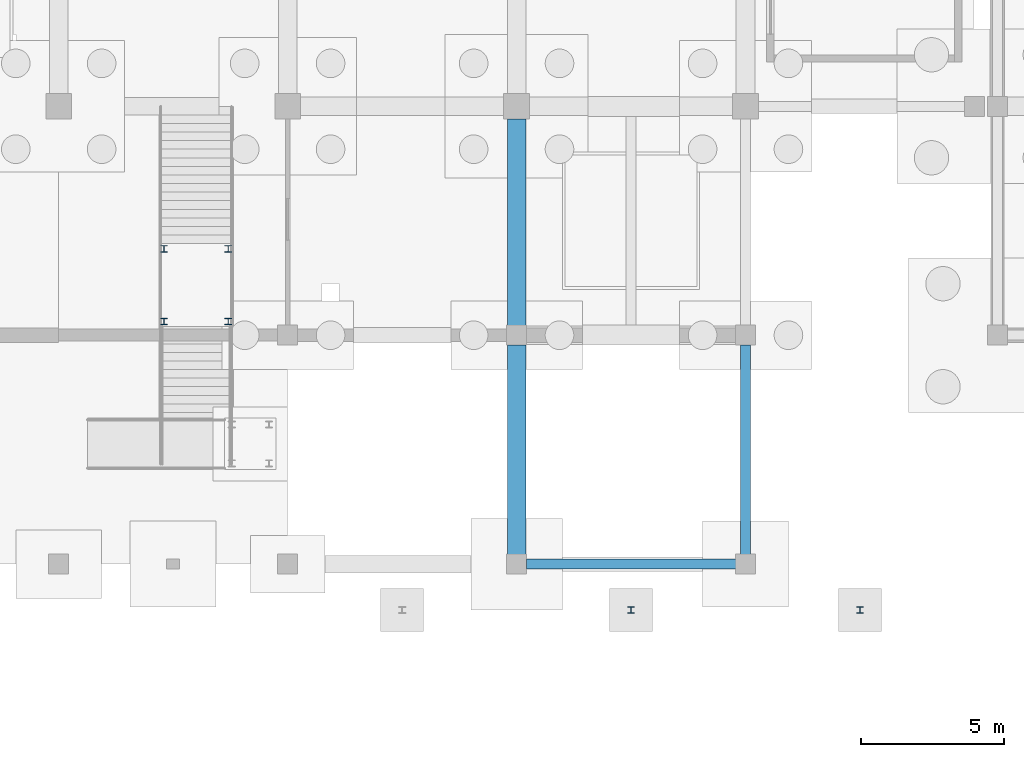
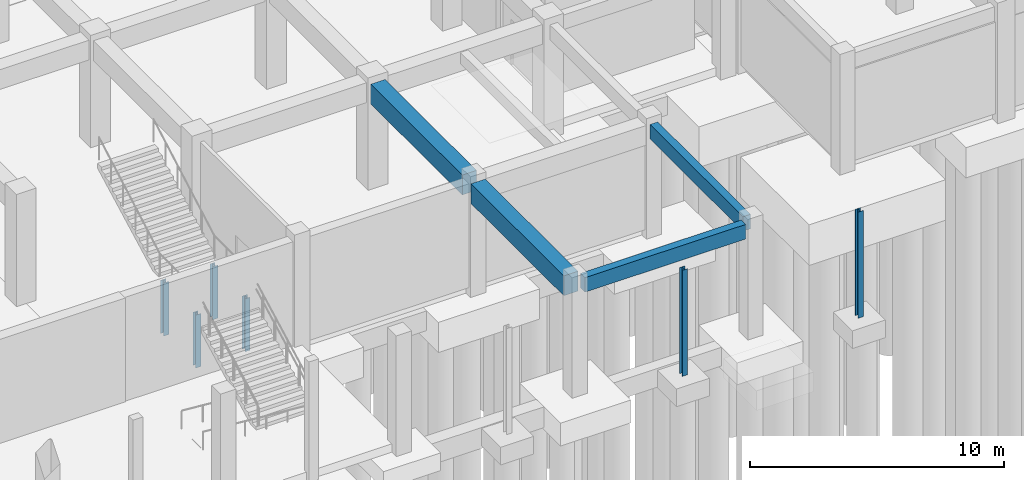
# One storey, part 16 of 45: 6 members, 4 beams.
"""IFC4 building model written with IfcOpenShell, lengths in metres."""

from ifc_helpers import new_model, si_unit, direction, frame, origin, origin_2d, place, context, subcontext, project, spatial, rectangle, i_section, extrude, material, material_profile, profile_set, type_object, element, save


model = new_model("IFC4")

# Units and contexts
model_context = context("Model", 3, precision=1e-05, world=origin(), true_north=direction((0.0, 1.0)))
body_context = subcontext(model_context, "Body", "Model", "MODEL_VIEW")
ifc_project = project(units=[si_unit("LENGTHUNIT", "METRE"), si_unit("AREAUNIT", "SQUARE_METRE"), si_unit("VOLUMEUNIT", "CUBIC_METRE"), si_unit("PLANEANGLEUNIT", "RADIAN"), si_unit("MASSUNIT", "GRAM", prefix="KILO")], contexts=[model_context])

# Site, building, storey
site_placement = place(None, origin())
site = spatial("IfcSite", under=ifc_project, at=site_placement, CompositionType="ELEMENT")
building_placement = place(site_placement, origin())
building = spatial("IfcBuilding", under=site, at=building_placement, Name="Kenh Van Central Station", CompositionType="ELEMENT")
storey_placement = place(building_placement, frame((0.0, 0.0, -5.39990234375)))
storey = spatial("IfcBuildingStorey", under=building, at=storey_placement, Name="B1", CompositionType="ELEMENT", Elevation=-5.39990234375)

# Beams
ifc_material_1 = material(Name="Concrete C40/50", Category="concrete")
ifc_material_profile_1 = material_profile(ifc_material_1, rectangle(XDim=0.64990234375, YDim=0.949951171875, at=origin_2d()), Name="RC 650x950")
ifc_profile_set_1 = profile_set([ifc_material_profile_1], Name="Concrete C40/50")
beam_type_1 = type_object("IfcBeamType", Name="BM-RC-650x950", PredefinedType="BEAM", material=ifc_profile_set_1)
beam_1_placement = place(storey_placement, frame((104.0, 0.340087890625, 4.5849609375), z_axis=(0.0, 1.0, 0.0), x_axis=(-1.0, 0.0, 0.0)))
element("IfcBeam", 1, at=beam_1_placement, inside=storey, type_object=beam_type_1, Name="B1 beam 0215", PredefinedType="BEAM", context=body_context, shape_type="SweptSolid", body=[
    extrude(rectangle(XDim=0.64990234375, YDim=0.949951171875, at=origin_2d()), origin(), (0.0, 0.0, 1.0), 7.31982421875),
])
beam_2_placement = place(storey_placement, frame((104.0, 8.340087890625, 4.5849609375), z_axis=(0.0, 1.0, 0.0), x_axis=(-1.0, 0.0, 0.0)))
element("IfcBeam", 2, at=beam_2_placement, inside=storey, type_object=beam_type_1, Name="B1 beam 0216", PredefinedType="BEAM", context=body_context, shape_type="SweptSolid", body=[
    extrude(rectangle(XDim=0.64990234375, YDim=0.949951171875, at=origin_2d()), origin(), (0.0, 0.0, 1.0), 7.219970703125),
])

# Members
ifc_material_2 = material(Name="Steel S355", Category="steel")
ifc_material_profile_2 = material_profile(ifc_material_2, i_section(OverallWidth=0.239990234375, OverallDepth=0.22998046875, WebThickness=0.007568359375, FlangeThickness=0.011962890625, FilletRadius=0.02099609375, at=origin_2d()), Name="HEA 240")
ifc_profile_set_2 = profile_set([ifc_material_profile_2], Name="Steel S355")
member_type = type_object("IfcMemberType", Name="MEM-ROOF-POST240", PredefinedType="POST", material=ifc_profile_set_2)
for number, where, z_axis, x_axis, name in (
    (3, (108.0, -1.60009765625, 0.0), (0.0, 0.0, 1.0), (1.0, 0.0, 0.0), "B1 forecourt apron support post 22"),
    (4, (116.0, -1.60009765625, 0.0), (0.0, 0.0, 1.0), (1.0, 0.0, 0.0), "B1 forecourt apron support post 23"),
):
    element("IfcMember", number, at=place(storey_placement, frame(where, z_axis=z_axis, x_axis=x_axis)), inside=storey, type_object=member_type, Name=name, PredefinedType="POST", context=body_context, shape_type="SweptSolid", body=[
        extrude(i_section(OverallWidth=0.239990234375, OverallDepth=0.22998046875, WebThickness=0.007568359375, FlangeThickness=0.011962890625, FilletRadius=0.02099609375, at=origin_2d()), origin(), (0.0, 0.0, 1.0), 5.099853515625),
    ])
for number, where, z_axis, x_axis, name in (
    (5, (93.919921875, 8.47998046875, 0.0), (0.0, 0.0, 1.0), (1.0, 0.0, 0.0), "Metro Forecourt East Amphitheatre Stair mid-landing support post 11"),
    (6, (91.679931640625, 8.47998046875, 0.0), (0.0, 0.0, 1.0), (1.0, 0.0, 0.0), "Metro Forecourt East Amphitheatre Stair mid-landing support post 12"),
    (7, (93.919921875, 11.02001953125, 0.0), (0.0, 0.0, 1.0), (1.0, 0.0, 0.0), "Metro Forecourt East Amphitheatre Stair mid-landing support post 21"),
    (8, (91.679931640625, 11.02001953125, 0.0), (0.0, 0.0, 1.0), (1.0, 0.0, 0.0), "Metro Forecourt East Amphitheatre Stair mid-landing support post 22"),
):
    element("IfcMember", number, at=place(storey_placement, frame(where, z_axis=z_axis, x_axis=x_axis)), inside=storey, type_object=member_type, Name=name, PredefinedType="POST", context=body_context, shape_type="SweptSolid", body=[
        extrude(i_section(OverallWidth=0.239990234375, OverallDepth=0.22998046875, WebThickness=0.007568359375, FlangeThickness=0.011962890625, FilletRadius=0.02099609375, at=origin_2d()), origin(), (0.0, 0.0, 1.0), 2.5498046875),
    ])

# Beams
ifc_material_3 = material(Name="Concrete C35/45", Category="concrete")
ifc_material_profile_3 = material_profile(ifc_material_3, rectangle(XDim=0.35009765625, YDim=0.699951171875, at=origin_2d()), Name="RC 350x700")
ifc_profile_set_3 = profile_set([ifc_material_profile_3], Name="Concrete C35/45")
beam_type_2 = type_object("IfcBeamType", Name="SPD-RC-350x700", PredefinedType="SPANDREL", material=ifc_profile_set_3)
for number, where, z_axis, x_axis, name in (
    (9, (104.340087890625, 0.0, 4.7099609375), (1.0, 0.0, 0.0), (0.0, 1.0, 0.0), "B1 beam 0002"),
    (10, (112.0, 0.340087890625, 4.7099609375), (0.0, 1.0, 0.0), (-1.0, 0.0, 0.0), "B1 beam 0220"),
):
    element("IfcBeam", number, at=place(storey_placement, frame(where, z_axis=z_axis, x_axis=x_axis)), inside=storey, type_object=beam_type_2, Name=name, PredefinedType="SPANDREL", context=body_context, shape_type="SweptSolid", body=[
        extrude(rectangle(XDim=0.35009765625, YDim=0.699951171875, at=origin_2d()), origin(), (0.0, 0.0, 1.0), 7.31982421875),
    ])

save(model, "model.ifc")
